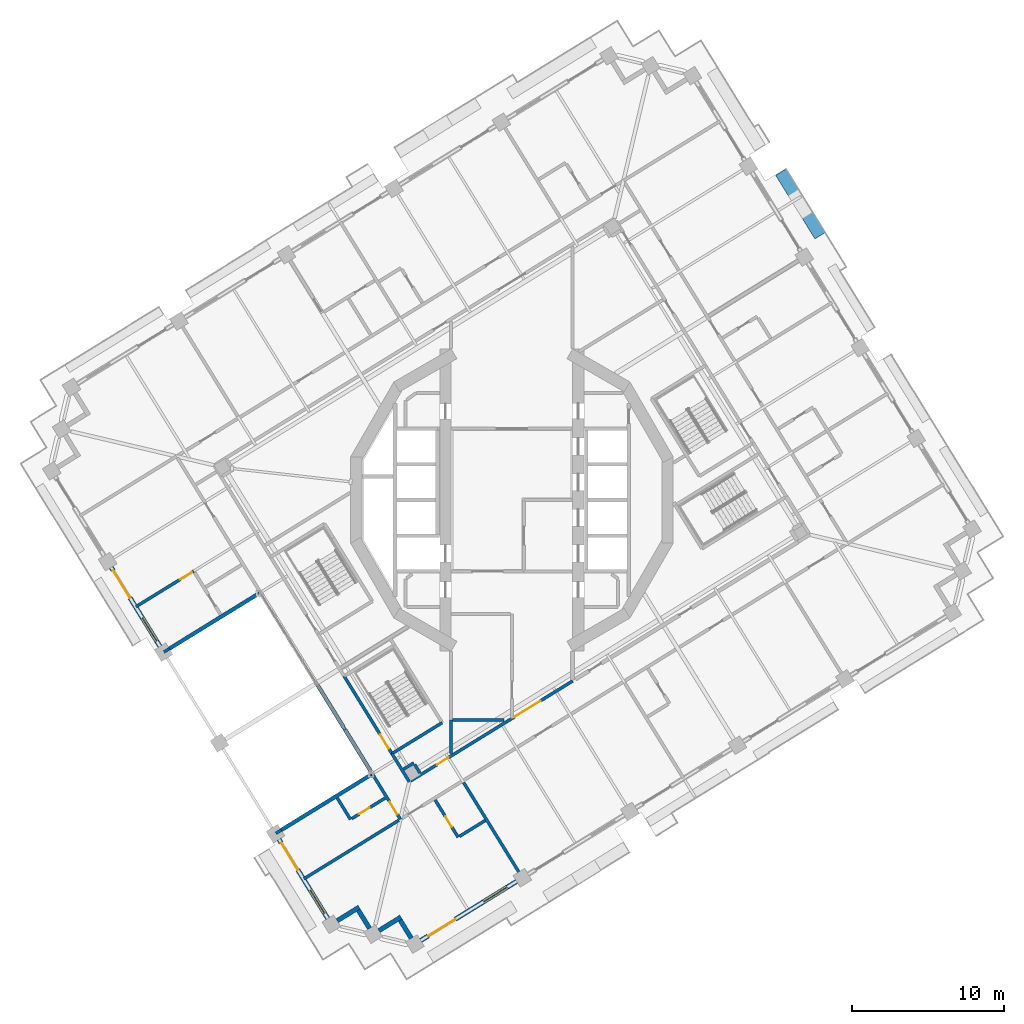
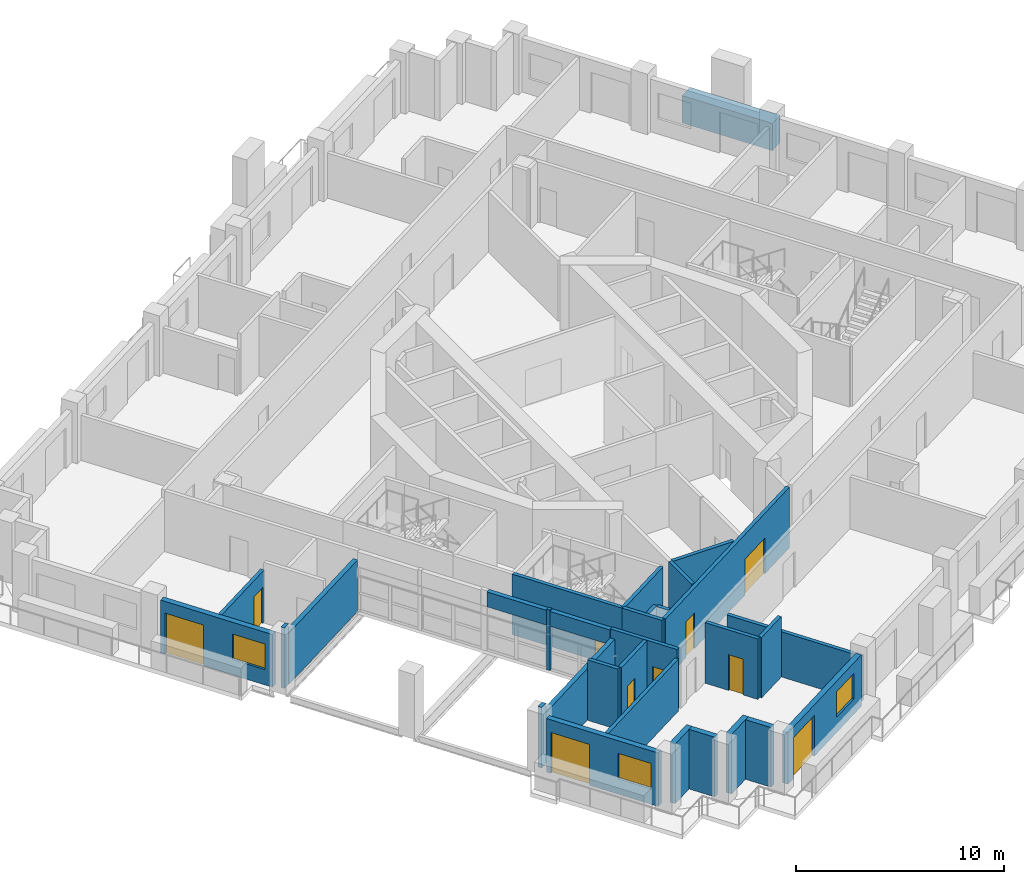
# One storey, part 7 of 22: 30 walls, 10 doors, 3 windows, 1 plate, 13 openings.
"""IFC4 building model written with IfcOpenShell, lengths in metres."""

from ifc_helpers import new_model, si_unit, direction, frame, frame_2d, origin, origin_2d, place, context, subcontext, project, spatial, rectangle, extrude, material, layer, layer_set, type_object, element, fill, save


model = new_model("IFC4")

# Units and contexts
model_context = context("Model", 3, precision=1e-05, world=origin(), true_north=direction((0.0, 1.0)))
body_context = subcontext(model_context, "Body", "Model", "MODEL_VIEW")
ifc_project = project(units=[si_unit("LENGTHUNIT", "METRE"), si_unit("AREAUNIT", "SQUARE_METRE"), si_unit("VOLUMEUNIT", "CUBIC_METRE"), si_unit("PLANEANGLEUNIT", "RADIAN"), si_unit("MASSUNIT", "GRAM", prefix="KILO")], contexts=[model_context])

# Site, building, storey
site_placement = place(None, origin())
site = spatial("IfcSite", under=ifc_project, at=site_placement, CompositionType="ELEMENT")
building_placement = place(site_placement, origin())
building = spatial("IfcBuilding", under=site, at=building_placement, Name="Cantera Rosa Tower", CompositionType="ELEMENT")
storey_placement = place(building_placement, frame((0.0, 0.0, 166.60009765625)))
storey = spatial("IfcBuildingStorey", under=building, at=storey_placement, Name="L36", CompositionType="ELEMENT", Elevation=166.60009765625)

# Plate
ifc_material_1 = material(Name="Cantera stone planter with soil", Category="masonry")
plate_type = type_object("IfcPlateType", Name="PLANTER 800", PredefinedType="USERDEFINED", material=ifc_material_1)
plate_placement = place(storey_placement, frame((19.012451171875, 19.505126953125, -0.000244140625), z_axis=(0.0, 0.0, 1.0), x_axis=(-0.52497658034, 0.851116672434, 0.0)))
element("IfcPlate", 1, at=plate_placement, inside=storey, type_object=plate_type, Name="PLANTER L36-04", ObjectType="PLANTER", PredefinedType="USERDEFINED", context=body_context, shape_type="SweptSolid", body=[
    extrude(rectangle(XDim=4.919921875, YDim=0.800048828125, at=origin_2d()), origin(), (0.0, 0.0, 1.0), 1.60009765625),
])

# Wall
ifc_material_2 = material(Name="Gypsum board partition")
ifc_layer_1 = layer(ifc_material_2, 0.199951171875)
ifc_layer_set_1 = layer_set([ifc_layer_1], Name="CORRIDOR WALL 200 H3550")
wall_type_1 = type_object("IfcWallType", Name="CORRIDOR WALL 200 H3550", PredefinedType="PARTITIONING", material=ifc_layer_set_1)
wall_1_placement = place(storey_placement, frame((-11.08984375, -14.974365234375, 0.0), z_axis=(0.0, 0.0, 1.0), x_axis=(0.525010317365, -0.851095862204, 0.0)))
element("IfcWall", 2, at=wall_1_placement, inside=storey, type_object=wall_type_1, Name="CORRIDOR WALL L36-006", PredefinedType="PARTITIONING", context=body_context, shape_type="SweptSolid", body=[
    extrude(rectangle(XDim=0.19384765625, YDim=0.199951171875, at=frame_2d((0.096923828125, 0.0))), origin(), (0.0, 0.0, 1.0), 3.5498046875),
])

# Wall, opening, door
wall_2_placement = place(storey_placement, frame((-9.261962890625, -17.93798828125, 0.0), z_axis=(0.0, 0.0, 1.0), x_axis=(0.52498656073, -0.851110516356, 0.0)))
wall_2 = element("IfcWall", 3, at=wall_2_placement, inside=storey, type_object=wall_type_1, Name="CORRIDOR WALL L36-007", PredefinedType="PARTITIONING", context=body_context, shape_type="SweptSolid", body=[
    extrude(rectangle(XDim=3.64501953125, YDim=0.199951171875, at=frame_2d((1.822509765625, 0.0))), origin(), (0.0, 0.0, 1.0), 3.5498046875),
])
opening_1_placement = place(wall_2_placement, frame((2.31005859375, 0.0, 0.0)))
opening_1 = element("IfcOpeningElement", 4, at=opening_1_placement, cuts=wall_2, Name="Opening L36-039", PredefinedType="OPENING", context=body_context, shape_type="SweptSolid", body=[
    extrude(rectangle(XDim=0.949951171875, YDim=2.10009765625, at=frame_2d((0.47509765625, 1.050048828125))), frame((0.0, 0.10986328125, 0.0), z_axis=(0.0, -1.0, 0.0), x_axis=(1.0, 0.0, 0.0)), (0.0, 0.0, 1.0), 0.219970703125),
])
ifc_material_3 = material(Name="Timber door leaf", Category="wood")
door_type_1 = type_object("IfcDoorType", Name="ROOM DOOR 950x2100", OperationType="NOTDEFINED", PredefinedType="DOOR", material=ifc_material_3)
door_1_placement = place(opening_1_placement, origin())
door_1 = element("IfcDoor", 5, at=door_1_placement, inside=storey, type_object=door_type_1, Name="DOOR L36-039", OperationType="NOTDEFINED", OverallHeight=2.10009765625, OverallWidth=0.949951171875, PredefinedType="DOOR", context=body_context, shape_type="SweptSolid", body=[
    extrude(rectangle(XDim=0.949951171875, YDim=2.10009765625, at=frame_2d((0.47509765625, 1.050048828125))), frame((0.0, 0.02490234375, 0.0), z_axis=(0.0, -1.0, 0.0), x_axis=(1.0, 0.0, 0.0)), (0.0, 0.0, 1.0), 0.050048828125),
])
fill(opening_1, door_1)

# Wall
wall_3_placement = place(storey_placement, frame((-7.9033203125, -16.7119140625, 0.0), z_axis=(0.0, 0.0, 1.0), x_axis=(0.525036414636, -0.851079763187, 0.0)))
element("IfcWall", 6, at=wall_3_placement, inside=storey, type_object=wall_type_1, Name="CORRIDOR WALL L36-033", PredefinedType="PARTITIONING", context=body_context, shape_type="SweptSolid", body=[
    extrude(rectangle(XDim=2.17529296875, YDim=0.199951171875, at=frame_2d((1.087646484375, 0.0))), origin(), (0.0, 0.0, 1.0), 3.5498046875),
])

# Wall, openings, doors
wall_4_placement = place(storey_placement, frame((-6.67626953125, -18.5107421875, 0.0), z_axis=(0.0, 0.0, 1.0), x_axis=(0.851117243115, 0.524975655123, 0.0)))
wall_4 = element("IfcWall", 7, at=wall_4_placement, inside=storey, type_object=wall_type_1, Name="CORRIDOR WALL L36-049", PredefinedType="PARTITIONING", context=body_context, shape_type="SweptSolid", body=[
    extrude(rectangle(XDim=12.5439453125, YDim=0.199951171875, at=frame_2d((6.27197265625, 0.0))), origin(), (0.0, 0.0, 1.0), 3.5498046875),
])
opening_2_placement = place(wall_4_placement, frame((2.03515625, 0.0, 0.0)))
opening_2 = element("IfcOpeningElement", 8, at=opening_2_placement, cuts=wall_4, Name="Opening L36-009", PredefinedType="OPENING", context=body_context, shape_type="SweptSolid", body=[
    extrude(rectangle(XDim=0.89990234375, YDim=2.10009765625, at=frame_2d((0.449951171875, 1.050048828125))), frame((0.0, 0.10986328125, 0.0), z_axis=(0.0, -1.0, 0.0), x_axis=(1.0, 0.0, 0.0)), (0.0, 0.0, 1.0), 0.219970703125),
])
opening_3_placement = place(wall_4_placement, frame((8.044189453125, 0.0, 0.0)))
opening_3 = element("IfcOpeningElement", 9, at=opening_3_placement, cuts=wall_4, Name="Opening L36-013", PredefinedType="OPENING", context=body_context, shape_type="SweptSolid", body=[
    extrude(rectangle(XDim=2.0, YDim=2.10009765625, at=frame_2d((1.0, 1.050048828125))), frame((0.0, 0.10986328125, 0.0), z_axis=(0.0, -1.0, 0.0), x_axis=(1.0, 0.0, 0.0)), (0.0, 0.0, 1.0), 0.219970703125),
])
ifc_material_4 = material(Name="Steel S355J2 (EN 10025-2)", Category="steel")
door_type_2 = type_object("IfcDoorType", Name="LOBBY SCREEN DOOR 2000x2100", OperationType="NOTDEFINED", PredefinedType="DOOR", material=ifc_material_4)
door_2_placement = place(opening_3_placement, origin())
door_2 = element("IfcDoor", 10, at=door_2_placement, inside=storey, type_object=door_type_2, Name="DOOR L36-013", OperationType="NOTDEFINED", OverallHeight=2.10009765625, OverallWidth=2.0, PredefinedType="DOOR", context=body_context, shape_type="SweptSolid", body=[
    extrude(rectangle(XDim=2.0, YDim=2.10009765625, at=frame_2d((1.0, 1.050048828125))), frame((0.0, 0.02490234375, 0.0), z_axis=(0.0, -1.0, 0.0), x_axis=(1.0, 0.0, 0.0)), (0.0, 0.0, 1.0), 0.050048828125),
])
fill(opening_3, door_2)
ifc_material_5 = material(Name="Timber door leaf", Category="wood")
door_type_3 = type_object("IfcDoorType", Name="SERVICE DOOR 900x2100", OperationType="NOTDEFINED", PredefinedType="DOOR", material=ifc_material_5)
door_3_placement = place(opening_2_placement, origin())
door_3 = element("IfcDoor", 11, at=door_3_placement, inside=storey, type_object=door_type_3, Name="DOOR L36-009", OperationType="NOTDEFINED", OverallHeight=2.10009765625, OverallWidth=0.89990234375, PredefinedType="DOOR", context=body_context, shape_type="SweptSolid", body=[
    extrude(rectangle(XDim=0.89990234375, YDim=2.10009765625, at=frame_2d((0.449951171875, 1.050048828125))), frame((0.0, 0.02490234375, 0.0), z_axis=(0.0, -1.0, 0.0), x_axis=(1.0, 0.0, 0.0)), (0.0, 0.0, 1.0), 0.050048828125),
])
fill(opening_2, door_3)

# Walls
wall_5_placement = place(storey_placement, frame((-4.0, -14.5, 0.0), z_axis=(0.0, 0.0, 1.0), x_axis=(0.0, -1.0, 0.0)))
element("IfcWall", 12, at=wall_5_placement, inside=storey, type_object=wall_type_1, Name="CORRIDOR WALL L36-058", PredefinedType="PARTITIONING", context=body_context, shape_type="SweptSolid", body=[
    extrude(rectangle(XDim=2.2001953125, YDim=0.199951171875, at=frame_2d((1.10009765625, 0.0))), origin(), (0.0, 0.0, 1.0), 3.5498046875),
])
wall_6_placement = place(storey_placement, frame((-3.89990234375, -14.5, 0.0), z_axis=(0.0, 0.0, 1.0), x_axis=(1.0, 0.0, 0.0)))
element("IfcWall", 13, at=wall_6_placement, inside=storey, type_object=wall_type_1, Name="CORRIDOR WALL L36-059", PredefinedType="PARTITIONING", context=body_context, shape_type="SweptSolid", body=[
    extrude(rectangle(XDim=3.38623046875, YDim=0.199951171875, at=frame_2d((1.693115234375, 0.0))), origin(), (0.0, 0.0, 1.0), 3.5498046875),
])
ifc_material_6 = material(Name="Hollow clay masonry with cantera stone cladding", Category="masonry")
ifc_layer_2 = layer(ifc_material_6, 0.300048828125)
ifc_layer_set_2 = layer_set([ifc_layer_2], Name="EW-LOGGIA 300")
wall_type_2 = type_object("IfcWallType", Name="EW-LOGGIA 300", PredefinedType="SOLIDWALL", material=ifc_layer_set_2)
wall_7_placement = place(storey_placement, frame((-11.51123046875, -27.72021484375, 0.0), z_axis=(0.0, 0.0, 1.0), x_axis=(0.851130227454, 0.524954603669, 0.0)))
element("IfcWall", 14, at=wall_7_placement, inside=storey, type_object=wall_type_2, Name="EN-L36-W20a", PredefinedType="SOLIDWALL", context=body_context, shape_type="SweptSolid", body=[
    extrude(rectangle(XDim=1.699951171875, YDim=0.300048828125, at=frame_2d((0.85009765625, 0.0))), origin(), (0.0, 0.0, 1.0), 3.5),
])
wall_8_placement = place(storey_placement, frame((-10.11328125, -27.0341796875, 0.0), z_axis=(0.0, 0.0, 1.0), x_axis=(0.524895019961, -0.85116697423, 0.0)))
element("IfcWall", 15, at=wall_8_placement, inside=storey, type_object=wall_type_2, Name="EN-L36-W20b", PredefinedType="SOLIDWALL", context=body_context, shape_type="SweptSolid", body=[
    extrude(rectangle(XDim=1.39990234375, YDim=0.300048828125, at=frame_2d((0.699951171875, 0.0))), origin(), (0.0, 0.0, 1.0), 3.5),
])
wall_9_placement = place(storey_placement, frame((-8.75927734375, -28.37255859375, 0.0), z_axis=(0.0, 0.0, 1.0), x_axis=(0.851105638601, 0.524994468487, 0.0)))
element("IfcWall", 16, at=wall_9_placement, inside=storey, type_object=wall_type_2, Name="EN-L36-W21a", PredefinedType="SOLIDWALL", context=body_context, shape_type="SweptSolid", body=[
    extrude(rectangle(XDim=1.7001953125, YDim=0.300048828125, at=frame_2d((0.85009765625, 0.0))), origin(), (0.0, 0.0, 1.0), 3.5),
])
wall_10_placement = place(storey_placement, frame((-7.361083984375, -27.6865234375, 0.0), z_axis=(0.0, 0.0, 1.0), x_axis=(0.524895019961, -0.85116697423, 0.0)))
element("IfcWall", 17, at=wall_10_placement, inside=storey, type_object=wall_type_2, Name="EN-L36-W21b", PredefinedType="SOLIDWALL", context=body_context, shape_type="SweptSolid", body=[
    extrude(rectangle(XDim=1.39990234375, YDim=0.300048828125, at=frame_2d((0.699951171875, 0.0))), origin(), (0.0, 0.0, 1.0), 3.5),
])

# Wall, openings, window, door
ifc_material_7 = material(Name="Hollow clay masonry with cantera stone cladding", Category="masonry")
ifc_layer_3 = layer(ifc_material_7, 0.300048828125)
ifc_layer_set_3 = layer_set([ifc_layer_3], Name="EW-LOGGIA 300 H3020")
wall_type_3 = type_object("IfcWallType", Name="EW-LOGGIA 300 H3020", PredefinedType="SOLIDWALL", material=ifc_layer_set_3)
wall_11_placement = place(storey_placement, frame((-6.007080078125, -29.02490234375, 0.0), z_axis=(0.0, 0.0, 1.0), x_axis=(0.851111085575, 0.524985637909, 0.0)))
wall_11 = element("IfcWall", 18, at=wall_11_placement, inside=storey, type_object=wall_type_3, Name="EN-L36-W22", PredefinedType="SOLIDWALL", context=body_context, shape_type="SweptSolid", body=[
    extrude(rectangle(XDim=7.420166015625, YDim=0.300048828125, at=frame_2d((3.7099609375, 0.0))), origin(), (0.0, 0.0, 1.0), 3.02001953125),
])
opening_4_placement = place(wall_11_placement, frame((0.580078125, 0.0, 0.0)))
opening_4 = element("IfcOpeningElement", 19, at=opening_4_placement, cuts=wall_11, Name="Opening L36-TD27", PredefinedType="OPENING", context=body_context, shape_type="SweptSolid", body=[
    extrude(rectangle(XDim=2.10009765625, YDim=2.39990234375, at=frame_2d((1.050048828125, 1.199951171875))), frame((0.0, 0.159912109375, 0.0), z_axis=(0.0, -1.0, 0.0), x_axis=(1.0, 0.0, 0.0)), (0.0, 0.0, 1.0), 0.320068359375),
])
opening_5_placement = place(wall_11_placement, frame((4.889892578125, 0.0, 0.89990234375)))
opening_5 = element("IfcOpeningElement", 20, at=opening_5_placement, cuts=wall_11, Name="Opening L36-W28", PredefinedType="OPENING", context=body_context, shape_type="SweptSolid", body=[
    extrude(rectangle(XDim=1.800048828125, YDim=1.5, at=frame_2d((0.89990234375, 0.75))), frame((0.0, 0.159912109375, 0.0), z_axis=(0.0, -1.0, 0.0), x_axis=(1.0, 0.0, 0.0)), (0.0, 0.0, 1.0), 0.320068359375),
])
ifc_material_8 = material(Name="Aluminium frame with clear glass", Category="aluminium")
window_type = type_object("IfcWindowType", Name="Hotel room window 1800x1500", PartitioningType="DOUBLE_PANEL_VERTICAL", PredefinedType="WINDOW", material=ifc_material_8)
window_1_placement = place(opening_5_placement, origin())
window_1 = element("IfcWindow", 21, at=window_1_placement, inside=storey, type_object=window_type, Name="WINDOW L36-W28", OverallHeight=1.5, OverallWidth=1.800048828125, PartitioningType="SINGLE_PANEL", PredefinedType="WINDOW", context=body_context, shape_type="SweptSolid", body=[
    extrude(rectangle(XDim=1.800048828125, YDim=1.5, at=frame_2d((0.89990234375, 0.75))), frame((0.0, 0.030029296875, 0.0), z_axis=(0.0, -1.0, 0.0), x_axis=(1.0, 0.0, 0.0)), (0.0, 0.0, 1.0), 0.06005859375),
])
fill(opening_5, window_1)
ifc_material_9 = material(Name="Aluminium frame with clear glass", Category="aluminium")
door_type_4 = type_object("IfcDoorType", Name="TD-H 2100x2400", OperationType="NOTDEFINED", PredefinedType="DOOR", material=ifc_material_9)
door_4_placement = place(opening_4_placement, origin())
door_4 = element("IfcDoor", 22, at=door_4_placement, inside=storey, type_object=door_type_4, Name="LOGGIA DOOR L36-TD27", OperationType="SLIDING_TO_LEFT", OverallHeight=2.39990234375, OverallWidth=2.10009765625, PredefinedType="DOOR", context=body_context, shape_type="SweptSolid", body=[
    extrude(rectangle(XDim=2.10009765625, YDim=2.39990234375, at=frame_2d((1.050048828125, 1.199951171875))), frame((0.0, 0.02490234375, 0.0), z_axis=(0.0, -1.0, 0.0), x_axis=(1.0, 0.0, 0.0)), (0.0, 0.0, 1.0), 0.050048828125),
])
fill(opening_4, door_4)

ifc_material_10 = material(Name="Hollow clay masonry with cantera stone cladding", Category="masonry")
ifc_layer_4 = layer(ifc_material_10, 0.300048828125)
ifc_layer_set_4 = layer_set([ifc_layer_4], Name="EW-LOGGIA 300 H3090")
wall_type_4 = type_object("IfcWallType", Name="EW-LOGGIA 300 H3090", PredefinedType="SOLIDWALL", material=ifc_layer_set_4)
wall_12_placement = place(storey_placement, frame((-26.3994140625, -4.440185546875, 0.0), z_axis=(0.0, 0.0, 1.0), x_axis=(0.524987447654, -0.851109969279, 0.0)))
wall_12 = element("IfcWall", 23, at=wall_12_placement, inside=storey, type_object=wall_type_4, Name="EN-L36-W16", PredefinedType="SOLIDWALL", context=body_context, shape_type="SweptSolid", body=[
    extrude(rectangle(XDim=6.119873046875, YDim=0.300048828125, at=frame_2d((3.06005859375, 0.0))), origin(), (0.0, 0.0, 1.0), 3.08984375),
])
opening_6_placement = place(wall_12_placement, frame((0.2548828125, 0.0, 0.0)))
opening_6 = element("IfcOpeningElement", 24, at=opening_6_placement, cuts=wall_12, Name="Opening L36-TD23", PredefinedType="OPENING", context=body_context, shape_type="SweptSolid", body=[
    extrude(rectangle(XDim=2.10009765625, YDim=2.39990234375, at=frame_2d((1.050048828125, 1.199951171875))), frame((0.0, 0.159912109375, 0.0), z_axis=(0.0, -1.0, 0.0), x_axis=(1.0, 0.0, 0.0)), (0.0, 0.0, 1.0), 0.320068359375),
])
opening_7_placement = place(wall_12_placement, frame((3.9150390625, 0.0, 0.89990234375)))
opening_7 = element("IfcOpeningElement", 25, at=opening_7_placement, cuts=wall_12, Name="Opening L36-W24", PredefinedType="OPENING", context=body_context, shape_type="SweptSolid", body=[
    extrude(rectangle(XDim=1.800048828125, YDim=1.5, at=frame_2d((0.89990234375, 0.75))), frame((0.0, 0.159912109375, 0.0), z_axis=(0.0, -1.0, 0.0), x_axis=(1.0, 0.0, 0.0)), (0.0, 0.0, 1.0), 0.320068359375),
])
window_2_placement = place(opening_7_placement, origin())
window_2 = element("IfcWindow", 26, at=window_2_placement, inside=storey, type_object=window_type, Name="WINDOW L36-W24", OverallHeight=1.5, OverallWidth=1.800048828125, PartitioningType="SINGLE_PANEL", PredefinedType="WINDOW", context=body_context, shape_type="SweptSolid", body=[
    extrude(rectangle(XDim=1.800048828125, YDim=1.5, at=frame_2d((0.89990234375, 0.75))), frame((0.0, 0.030029296875, 0.0), z_axis=(0.0, -1.0, 0.0), x_axis=(1.0, 0.0, 0.0)), (0.0, 0.0, 1.0), 0.06005859375),
])
fill(opening_7, window_2)
door_5_placement = place(opening_6_placement, origin())
door_5 = element("IfcDoor", 27, at=door_5_placement, inside=storey, type_object=door_type_4, Name="LOGGIA DOOR L36-TD23", OperationType="SLIDING_TO_LEFT", OverallHeight=2.39990234375, OverallWidth=2.10009765625, PredefinedType="DOOR", context=body_context, shape_type="SweptSolid", body=[
    extrude(rectangle(XDim=2.10009765625, YDim=2.39990234375, at=frame_2d((1.050048828125, 1.199951171875))), frame((0.0, 0.02490234375, 0.0), z_axis=(0.0, -1.0, 0.0), x_axis=(1.0, 0.0, 0.0)), (0.0, 0.0, 1.0), 0.050048828125),
])
fill(opening_6, door_5)

ifc_material_11 = material(Name="Hollow clay masonry with cantera stone cladding", Category="masonry")
ifc_layer_5 = layer(ifc_material_11, 0.300048828125)
ifc_layer_set_5 = layer_set([ifc_layer_5], Name="EW-LOGGIA 300 H3140")
wall_type_5 = type_object("IfcWallType", Name="EW-LOGGIA 300 H3140", PredefinedType="SOLIDWALL", material=ifc_layer_set_5)
wall_13_placement = place(storey_placement, frame((-15.343505859375, -22.36474609375, 0.0), z_axis=(0.0, 0.0, 1.0), x_axis=(0.524987447654, -0.851109969279, 0.0)))
wall_13 = element("IfcWall", 28, at=wall_13_placement, inside=storey, type_object=wall_type_5, Name="EN-L36-W19", PredefinedType="SOLIDWALL", context=body_context, shape_type="SweptSolid", body=[
    extrude(rectangle(XDim=6.119873046875, YDim=0.300048828125, at=frame_2d((3.06005859375, 0.0))), origin(), (0.0, 0.0, 1.0), 3.139892578125),
])
opening_8_placement = place(wall_13_placement, frame((0.2548828125, 0.0, 0.0)))
opening_8 = element("IfcOpeningElement", 29, at=opening_8_placement, cuts=wall_13, Name="Opening L36-TD25", PredefinedType="OPENING", context=body_context, shape_type="SweptSolid", body=[
    extrude(rectangle(XDim=2.10009765625, YDim=2.39990234375, at=frame_2d((1.050048828125, 1.199951171875))), frame((0.0, 0.159912109375, 0.0), z_axis=(0.0, -1.0, 0.0), x_axis=(1.0, 0.0, 0.0)), (0.0, 0.0, 1.0), 0.320068359375),
])
opening_9_placement = place(wall_13_placement, frame((3.9150390625, 0.0, 0.89990234375)))
opening_9 = element("IfcOpeningElement", 30, at=opening_9_placement, cuts=wall_13, Name="Opening L36-W26", PredefinedType="OPENING", context=body_context, shape_type="SweptSolid", body=[
    extrude(rectangle(XDim=1.800048828125, YDim=1.5, at=frame_2d((0.89990234375, 0.75))), frame((0.0, 0.159912109375, 0.0), z_axis=(0.0, -1.0, 0.0), x_axis=(1.0, 0.0, 0.0)), (0.0, 0.0, 1.0), 0.320068359375),
])
window_3_placement = place(opening_9_placement, origin())
window_3 = element("IfcWindow", 31, at=window_3_placement, inside=storey, type_object=window_type, Name="WINDOW L36-W26", OverallHeight=1.5, OverallWidth=1.800048828125, PartitioningType="SINGLE_PANEL", PredefinedType="WINDOW", context=body_context, shape_type="SweptSolid", body=[
    extrude(rectangle(XDim=1.800048828125, YDim=1.5, at=frame_2d((0.89990234375, 0.75))), frame((0.0, 0.030029296875, 0.0), z_axis=(0.0, -1.0, 0.0), x_axis=(1.0, 0.0, 0.0)), (0.0, 0.0, 1.0), 0.06005859375),
])
fill(opening_9, window_3)
door_6_placement = place(opening_8_placement, origin())
door_6 = element("IfcDoor", 32, at=door_6_placement, inside=storey, type_object=door_type_4, Name="LOGGIA DOOR L36-TD25", OperationType="SLIDING_TO_LEFT", OverallHeight=2.39990234375, OverallWidth=2.10009765625, PredefinedType="DOOR", context=body_context, shape_type="SweptSolid", body=[
    extrude(rectangle(XDim=2.10009765625, YDim=2.39990234375, at=frame_2d((1.050048828125, 1.199951171875))), frame((0.0, 0.02490234375, 0.0), z_axis=(0.0, -1.0, 0.0), x_axis=(1.0, 0.0, 0.0)), (0.0, 0.0, 1.0), 0.050048828125),
])
fill(opening_8, door_6)

# Walls
ifc_material_12 = material(Name="Concrete C40/50", Category="concrete")
ifc_layer_6 = layer(ifc_material_12, 0.25)
ifc_layer_set_6 = layer_set([ifc_layer_6], Name="EW-POCKET CHEEK 250 H3020")
wall_type_6 = type_object("IfcWallType", Name="EW-POCKET CHEEK 250 H3020", PredefinedType="SOLIDWALL", material=ifc_layer_set_6)
for number, where, z_axis, x_axis, name in (
    (33, (-22.5673828125, -9.795654296875, 0.0), (0.0, 0.0, 1.0), (0.851127184208, 0.524959537777, 0.0), "POCKET CHEEK A L36"),
    (34, (-15.19677734375, -21.745361328125, 0.0), (0.0, 0.0, 1.0), (0.851127184208, 0.524959537777, 0.0), "POCKET CHEEK B L36"),
):
    element("IfcWall", number, at=place(storey_placement, frame(where, z_axis=z_axis, x_axis=x_axis)), inside=storey, type_object=wall_type_6, Name=name, PredefinedType="SOLIDWALL", context=body_context, shape_type="SweptSolid", body=[
        extrude(rectangle(XDim=6.949951171875, YDim=0.25, at=frame_2d((3.47509765625, 0.0))), origin(), (0.0, 0.0, 1.0), 3.02001953125),
    ])
ifc_material_13 = material(Name="Hollow clay masonry with cantera stone cladding", Category="masonry")
ifc_layer_7 = layer(ifc_material_13, 0.25)
ifc_layer_set_7 = layer_set([ifc_layer_7], Name="EW-POCKET REAR 250")
wall_type_7 = type_object("IfcWallType", Name="EW-POCKET REAR 250", PredefinedType="SOLIDWALL", material=ifc_layer_set_7)
wall_14_placement = place(storey_placement, frame((-12.79443359375, -12.210693359375, 2.6337890625), z_axis=(0.0, 0.0, 1.0), x_axis=(0.524961331699, -0.851126077747, 0.0)))
element("IfcWall", 35, at=wall_14_placement, inside=storey, type_object=wall_type_7, Name="POCKET SPANDREL L36-3", PredefinedType="SOLIDWALL", context=body_context, shape_type="SweptSolid", body=[
    extrude(rectangle(XDim=3.2470703125, YDim=0.25, at=frame_2d((1.62353515625, 0.0))), origin(), (0.0, 0.0, 1.0), 0.8662109375),
])
wall_15_placement = place(storey_placement, frame((-10.988037109375, -15.139404296875, 2.6337890625), z_axis=(0.0, 0.0, 1.0), x_axis=(0.524950564519, -0.851132718682, 0.0)))
element("IfcWall", 36, at=wall_15_placement, inside=storey, type_object=wall_type_7, Name="POCKET SPANDREL L36-4", PredefinedType="SOLIDWALL", context=body_context, shape_type="SweptSolid", body=[
    extrude(rectangle(XDim=3.2880859375, YDim=0.25, at=frame_2d((1.64404296875, 0.0))), origin(), (0.0, 0.0, 1.0), 0.8662109375),
])

# Wall, opening, door
ifc_material_14 = material(Name="Gypsum board partition")
ifc_layer_8 = layer(ifc_material_14, 0.199951171875)
ifc_layer_set_8 = layer_set([ifc_layer_8], Name="PARTITION 200 H3050")
wall_type_8 = type_object("IfcWallType", Name="PARTITION 200 H3050", PredefinedType="PARTITIONING", material=ifc_layer_set_8)
wall_16_placement = place(storey_placement, frame((-24.767578125, -7.02880859375, 0.0), z_axis=(0.0, 0.0, 1.0), x_axis=(0.851125318938, 0.524962561963, 0.0)))
wall_16 = element("IfcWall", 37, at=wall_16_placement, inside=storey, type_object=wall_type_8, Name="PARTITION L36-001", PredefinedType="PARTITIONING", context=body_context, shape_type="SweptSolid", body=[
    extrude(rectangle(XDim=4.47021484375, YDim=0.199951171875, at=frame_2d((2.235107421875, 0.0))), origin(), (0.0, 0.0, 1.0), 3.0498046875),
])
opening_10_placement = place(wall_16_placement, frame((3.419921875, 0.0, 0.0)))
opening_10 = element("IfcOpeningElement", 38, at=opening_10_placement, cuts=wall_16, Name="Opening L36-037", PredefinedType="OPENING", context=body_context, shape_type="SweptSolid", body=[
    extrude(rectangle(XDim=0.89990234375, YDim=2.10009765625, at=frame_2d((0.449951171875, 1.050048828125))), frame((0.0, 0.10986328125, 0.0), z_axis=(0.0, -1.0, 0.0), x_axis=(1.0, 0.0, 0.0)), (0.0, 0.0, 1.0), 0.219970703125),
])
ifc_material_15 = material(Name="Timber door leaf", Category="wood")
door_type_5 = type_object("IfcDoorType", Name="ROOM DOOR 900x2100", OperationType="NOTDEFINED", PredefinedType="DOOR", material=ifc_material_15)
door_7_placement = place(opening_10_placement, origin())
door_7 = element("IfcDoor", 39, at=door_7_placement, inside=storey, type_object=door_type_5, Name="DOOR L36-037", OperationType="NOTDEFINED", OverallHeight=2.10009765625, OverallWidth=0.89990234375, PredefinedType="DOOR", context=body_context, shape_type="SweptSolid", body=[
    extrude(rectangle(XDim=0.89990234375, YDim=2.10009765625, at=frame_2d((0.449951171875, 1.050048828125))), frame((0.0, 0.02490234375, 0.0), z_axis=(0.0, -1.0, 0.0), x_axis=(1.0, 0.0, 0.0)), (0.0, 0.0, 1.0), 0.050048828125),
])
fill(opening_10, door_7)

# Walls
ifc_material_16 = material(Name="Gypsum board partition")
ifc_layer_9 = layer(ifc_material_16, 0.199951171875)
ifc_layer_set_9 = layer_set([ifc_layer_9], Name="PARTITION 200 H3550")
wall_type_9 = type_object("IfcWallType", Name="PARTITION 200 H3550", PredefinedType="PARTITIONING", material=ifc_layer_set_9)
for number, where, z_axis, x_axis, name in (
    (40, (-22.5673828125, -9.7958984375, 0.0), (0.0, 0.0, 1.0), (-0.851118918236, -0.524972939322, 0.0), "PARTITION L36-015"),
    (41, (-15.55419921875, -21.9658203125, 0.0), (0.0, 0.0, 1.0), (0.851118918236, 0.524972939322, 0.0), "PARTITION L36-017"),
):
    element("IfcWall", number, at=place(storey_placement, frame(where, z_axis=z_axis, x_axis=x_axis)), inside=storey, type_object=wall_type_9, Name=name, PredefinedType="PARTITIONING", context=body_context, shape_type="SweptSolid", body=[
        extrude(rectangle(XDim=0.419921875, YDim=0.199951171875, at=frame_2d((0.2099609375, 0.0))), origin(), (0.0, 0.0, 1.0), 3.5498046875),
    ])
wall_17_placement = place(storey_placement, frame((-10.634521484375, -21.04638671875, 0.0), z_axis=(0.0, 0.0, 1.0), x_axis=(-0.524915259782, 0.851154492468, 0.0)))
element("IfcWall", 42, at=wall_17_placement, inside=storey, type_object=wall_type_9, Name="PARTITION L36-026", PredefinedType="PARTITIONING", context=body_context, shape_type="SweptSolid", body=[
    extrude(rectangle(XDim=1.6650390625, YDim=0.199951171875, at=frame_2d((0.83251953125, 0.0))), origin(), (0.0, 0.0, 1.0), 3.5498046875),
])

# Wall, opening, door
wall_18_placement = place(storey_placement, frame((-8.353515625, -19.639404296875, 0.0), z_axis=(0.0, 0.0, 1.0), x_axis=(-0.851098989685, -0.525005247362, 0.0)))
wall_18 = element("IfcWall", 43, at=wall_18_placement, inside=storey, type_object=wall_type_9, Name="PARTITION L36-032", PredefinedType="PARTITIONING", context=body_context, shape_type="SweptSolid", body=[
    extrude(rectangle(XDim=2.580078125, YDim=0.199951171875, at=frame_2d((1.2900390625, 0.0))), origin(), (0.0, 0.0, 1.0), 3.5498046875),
])
opening_11_placement = place(wall_18_placement, frame((1.216064453125, 0.0, 0.0)))
opening_11 = element("IfcOpeningElement", 44, at=opening_11_placement, cuts=wall_18, Name="Opening L36-040", PredefinedType="OPENING", context=body_context, shape_type="SweptSolid", body=[
    extrude(rectangle(XDim=0.800048828125, YDim=2.10009765625, at=frame_2d((0.39990234375, 1.050048828125))), frame((0.0, 0.10986328125, 0.0), z_axis=(0.0, -1.0, 0.0), x_axis=(1.0, 0.0, 0.0)), (0.0, 0.0, 1.0), 0.219970703125),
])
ifc_material_17 = material(Name="Timber door leaf", Category="wood")
door_type_6 = type_object("IfcDoorType", Name="BATHROOM DOOR 800x2100", OperationType="NOTDEFINED", PredefinedType="DOOR", material=ifc_material_17)
door_8_placement = place(opening_11_placement, origin())
door_8 = element("IfcDoor", 45, at=door_8_placement, inside=storey, type_object=door_type_6, Name="DOOR L36-040", OperationType="NOTDEFINED", OverallHeight=2.10009765625, OverallWidth=0.800048828125, PredefinedType="DOOR", context=body_context, shape_type="SweptSolid", body=[
    extrude(rectangle(XDim=0.800048828125, YDim=2.10009765625, at=frame_2d((0.39990234375, 1.050048828125))), frame((0.0, 0.02490234375, 0.0), z_axis=(0.0, -1.0, 0.0), x_axis=(1.0, 0.0, 0.0)), (0.0, 0.0, 1.0), 0.050048828125),
])
fill(opening_11, door_8)

# Walls
wall_19_placement = place(storey_placement, frame((-6.4677734375, -17.32470703125, 0.0), z_axis=(0.0, 0.0, 1.0), x_axis=(-0.850991371659, -0.525179669601, 0.0)))
element("IfcWall", 46, at=wall_19_placement, inside=storey, type_object=wall_type_9, Name="PARTITION L36-050", PredefinedType="PARTITIONING", context=body_context, shape_type="SweptSolid", body=[
    extrude(rectangle(XDim=0.780029296875, YDim=0.199951171875, at=frame_2d((0.39013671875, 0.0))), origin(), (0.0, 0.0, 1.0), 3.5498046875),
])
wall_20_placement = place(storey_placement, frame((-6.058349609375, -17.98876953125, 0.0), z_axis=(0.0, 0.0, 1.0), x_axis=(-0.524902102766, 0.851162606387, 0.0)))
element("IfcWall", 47, at=wall_20_placement, inside=storey, type_object=wall_type_9, Name="PARTITION L36-052", PredefinedType="PARTITIONING", context=body_context, shape_type="SweptSolid", body=[
    extrude(rectangle(XDim=0.659912109375, YDim=0.199951171875, at=frame_2d((0.330078125, 0.0))), origin(), (0.0, 0.0, 1.0), 3.5498046875),
])

# Wall, opening, door
wall_21_placement = place(storey_placement, frame((-3.54345703125, -22.21826171875, 0.0), z_axis=(0.0, 0.0, 1.0), x_axis=(-0.524991059862, 0.851107741162, 0.0)))
wall_21 = element("IfcWall", 48, at=wall_21_placement, inside=storey, type_object=wall_type_9, Name="PARTITION L36-063", PredefinedType="PARTITIONING", context=body_context, shape_type="SweptSolid", body=[
    extrude(rectangle(XDim=2.8798828125, YDim=0.199951171875, at=frame_2d((1.43994140625, 0.0))), origin(), (0.0, 0.0, 1.0), 3.5498046875),
])
opening_12_placement = place(wall_21_placement, frame((0.800048828125, 0.0, 0.0)))
opening_12 = element("IfcOpeningElement", 49, at=opening_12_placement, cuts=wall_21, Name="Opening L36-045", PredefinedType="OPENING", context=body_context, shape_type="SweptSolid", body=[
    extrude(rectangle(XDim=0.800048828125, YDim=2.10009765625, at=frame_2d((0.39990234375, 1.050048828125))), frame((0.0, 0.10986328125, 0.0), z_axis=(0.0, -1.0, 0.0), x_axis=(1.0, 0.0, 0.0)), (0.0, 0.0, 1.0), 0.219970703125),
])
door_9_placement = place(opening_12_placement, origin())
door_9 = element("IfcDoor", 50, at=door_9_placement, inside=storey, type_object=door_type_6, Name="DOOR L36-045", OperationType="NOTDEFINED", OverallHeight=2.10009765625, OverallWidth=0.800048828125, PredefinedType="DOOR", context=body_context, shape_type="SweptSolid", body=[
    extrude(rectangle(XDim=0.800048828125, YDim=2.10009765625, at=frame_2d((0.39990234375, 1.050048828125))), frame((0.0, 0.02490234375, 0.0), z_axis=(0.0, -1.0, 0.0), x_axis=(1.0, 0.0, 0.0)), (0.0, 0.0, 1.0), 0.050048828125),
])
fill(opening_12, door_9)

# Walls
wall_22_placement = place(storey_placement, frame((-1.756103515625, -21.11572265625, 0.0), z_axis=(0.0, 0.0, 1.0), x_axis=(-0.851117241868, -0.524975657145, 0.0)))
element("IfcWall", 51, at=wall_22_placement, inside=storey, type_object=wall_type_9, Name="PARTITION L36-064", PredefinedType="PARTITIONING", context=body_context, shape_type="SweptSolid", body=[
    extrude(rectangle(XDim=2.000244140625, YDim=0.199951171875, at=frame_2d((1.0, 0.0))), origin(), (0.0, 0.0, 1.0), 3.5498046875),
])
ifc_material_18 = material(Name="Gypsum board partition")
ifc_layer_10 = layer(ifc_material_18, 0.199951171875)
ifc_layer_set_10 = layer_set([ifc_layer_10], Name="PARTY WALL 200 H2650")
wall_type_10 = type_object("IfcWallType", Name="PARTY WALL 200 H2650", PredefinedType="PARTITIONING", material=ifc_layer_set_10)
wall_23_placement = place(storey_placement, frame((0.675537109375, -24.86767578125, 0.0), z_axis=(0.0, 0.0, 1.0), x_axis=(-0.52498856982, 0.851109277096, 0.0)))
element("IfcWall", 52, at=wall_23_placement, inside=storey, type_object=wall_type_10, Name="PARTY WALL L36-069", PredefinedType="PARTITIONING", context=body_context, shape_type="SweptSolid", body=[
    extrude(rectangle(XDim=7.349853515625, YDim=0.199951171875, at=frame_2d((3.6748046875, 0.0))), origin(), (0.0, 0.0, 1.0), 2.64990234375),
])
ifc_material_19 = material(Name="Gypsum board partition")
ifc_layer_11 = layer(ifc_material_19, 0.199951171875)
ifc_layer_set_11 = layer_set([ifc_layer_11], Name="PARTY WALL 200 H3050")
wall_type_11 = type_object("IfcWallType", Name="PARTY WALL 200 H3050", PredefinedType="PARTITIONING", material=ifc_layer_set_11)
wall_24_placement = place(storey_placement, frame((-13.706298828125, -24.9619140625, 0.0), z_axis=(0.0, 0.0, 1.0), x_axis=(0.851118431638, 0.524973728225, 0.0)))
element("IfcWall", 53, at=wall_24_placement, inside=storey, type_object=wall_type_11, Name="PARTY WALL L36-018", PredefinedType="PARTITIONING", context=body_context, shape_type="SweptSolid", body=[
    extrude(rectangle(XDim=7.35009765625, YDim=0.199951171875, at=frame_2d((3.675048828125, 0.0))), origin(), (0.0, 0.0, 1.0), 3.0498046875),
])

# Wall, opening, door
ifc_material_20 = material(Name="Concrete C50/60", Category="concrete")
ifc_layer_12 = layer(ifc_material_20, 0.199951171875)
ifc_layer_set_12 = layer_set([ifc_layer_12], Name="STAIR WALL 200 H3550")
wall_type_12 = type_object("IfcWallType", Name="STAIR WALL 200 H3550", PredefinedType="SOLIDWALL", material=ifc_layer_set_12)
wall_25_placement = place(storey_placement, frame((-11.05322265625, -11.605224609375, 0.0), z_axis=(0.0, 0.0, 1.0), x_axis=(0.524982543144, -0.851112994493, 0.0)))
wall_25 = element("IfcWall", 54, at=wall_25_placement, inside=storey, type_object=wall_type_12, Name="STAIR WALL L36-023", PredefinedType="SOLIDWALL", context=body_context, shape_type="SweptSolid", body=[
    extrude(rectangle(XDim=6.0, YDim=0.199951171875, at=frame_2d((3.0, 0.0))), origin(), (0.0, 0.0, 1.0), 3.5498046875),
])
opening_13_placement = place(wall_25_placement, frame((4.52490234375, 0.0, 0.0)))
opening_13 = element("IfcOpeningElement", 55, at=opening_13_placement, cuts=wall_25, Name="Opening L36-003", PredefinedType="OPENING", context=body_context, shape_type="SweptSolid", body=[
    extrude(rectangle(XDim=1.10009765625, YDim=2.10009765625, at=frame_2d((0.550048828125, 1.050048828125))), frame((0.0, 0.10986328125, 0.0), z_axis=(0.0, -1.0, 0.0), x_axis=(1.0, 0.0, 0.0)), (0.0, 0.0, 1.0), 0.219970703125),
])
ifc_material_21 = material(Name="Steel S355J2 (EN 10025-2)", Category="steel")
door_type_7 = type_object("IfcDoorType", Name="STAIR DOOR 1100x2100", OperationType="NOTDEFINED", PredefinedType="DOOR", material=ifc_material_21)
door_10_placement = place(opening_13_placement, origin())
door_10 = element("IfcDoor", 56, at=door_10_placement, inside=storey, type_object=door_type_7, Name="DOOR L36-003", OperationType="NOTDEFINED", OverallHeight=2.10009765625, OverallWidth=1.10009765625, PredefinedType="DOOR", context=body_context, shape_type="SweptSolid", body=[
    extrude(rectangle(XDim=1.10009765625, YDim=2.10009765625, at=frame_2d((0.550048828125, 1.050048828125))), frame((0.0, 0.02490234375, 0.0), z_axis=(0.0, -1.0, 0.0), x_axis=(1.0, 0.0, 0.0)), (0.0, 0.0, 1.0), 0.050048828125),
])
fill(opening_13, door_10)

# Wall
wall_26_placement = place(storey_placement, frame((-7.9033203125, -16.7119140625, 0.0), z_axis=(0.0, 0.0, 1.0), x_axis=(0.851124503894, 0.524963883397, 0.0)))
element("IfcWall", 57, at=wall_26_placement, inside=storey, type_object=wall_type_12, Name="STAIR WALL L36-034", PredefinedType="SOLIDWALL", context=body_context, shape_type="SweptSolid", body=[
    extrude(rectangle(XDim=3.8818359375, YDim=0.199951171875, at=frame_2d((1.94091796875, 0.0))), origin(), (0.0, 0.0, 1.0), 3.5498046875),
])

save(model, "model.ifc")
